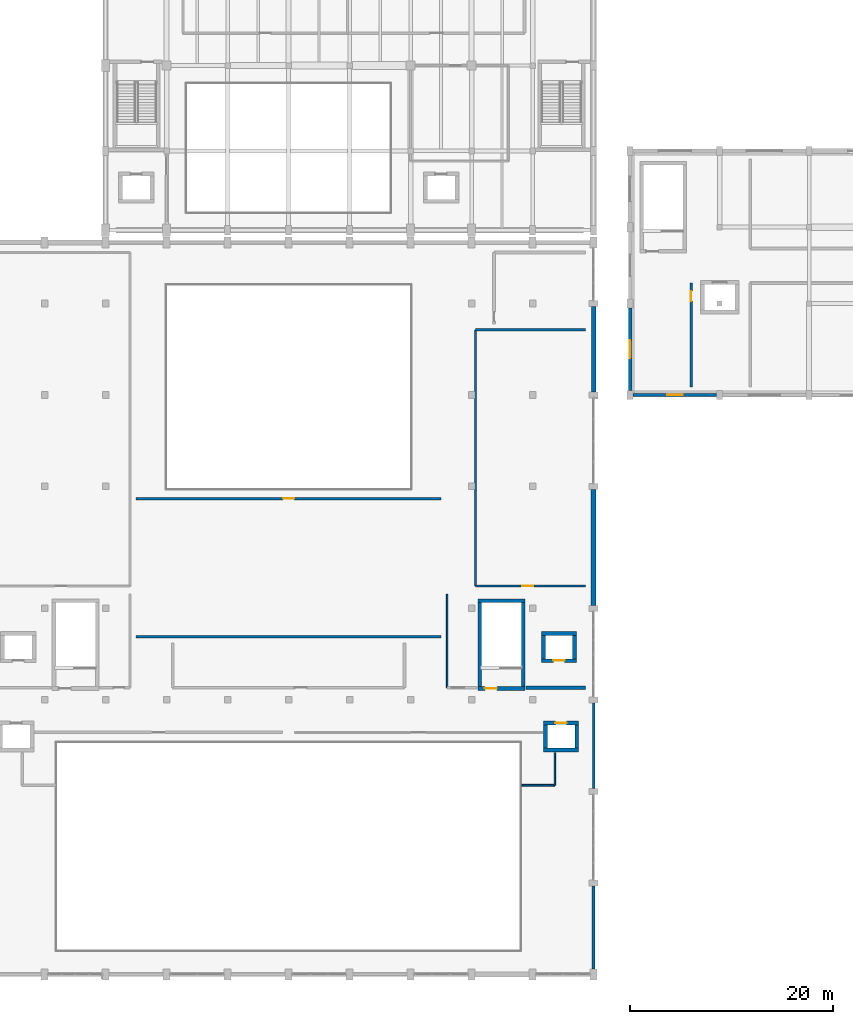
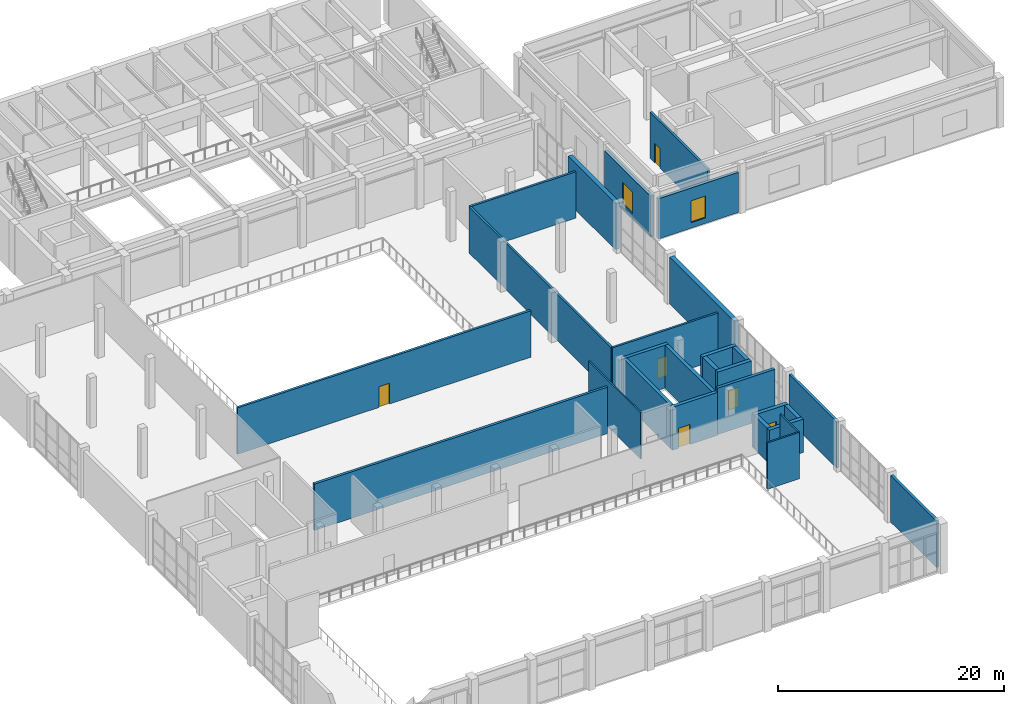
# One storey, part 28 of 41: 28 walls, 6 doors, 2 windows, 8 openings.
"""IFC4 building model written with IfcOpenShell, lengths in metres."""

from ifc_helpers import new_model, si_unit, direction, frame, frame_2d, origin, place, context, subcontext, project, spatial, rectangle, extrude, material, layer, layer_set, type_object, element, fill, save


model = new_model("IFC4")

# Units and contexts
model_context = context("Model", 3, precision=1e-05, world=origin(), true_north=direction((0.0, 1.0)))
body_context = subcontext(model_context, "Body", "Model", "MODEL_VIEW")
ifc_project = project(units=[si_unit("LENGTHUNIT", "METRE"), si_unit("AREAUNIT", "SQUARE_METRE"), si_unit("VOLUMEUNIT", "CUBIC_METRE"), si_unit("PLANEANGLEUNIT", "RADIAN"), si_unit("MASSUNIT", "GRAM", prefix="KILO")], contexts=[model_context])

# Site, building, storey
site_placement = place(None, origin())
site = spatial("IfcSite", under=ifc_project, at=site_placement, CompositionType="ELEMENT")
building_placement = place(site_placement, origin())
building = spatial("IfcBuilding", under=site, at=building_placement, Name="Vaelkrest Opera House", CompositionType="ELEMENT")
storey_placement = place(building_placement, frame((0.0, 0.0, 24.60009765625)))
storey = spatial("IfcBuildingStorey", under=building, at=storey_placement, Name="L05", CompositionType="ELEMENT", Elevation=24.60009765625)

# Walls
ifc_material_1 = material(Name="Douglas fir glulam GL28h", Category="wood")
ifc_layer_1 = layer(ifc_material_1, 0.2548828125)
ifc_layer_set_1 = layer_set([ifc_layer_1], Name="Douglas fir glulam GL28h")
wall_type_1 = type_object("IfcWallType", Name="EW01", PredefinedType="STANDARD", material=ifc_layer_set_1)
wall_1_placement = place(storey_placement, frame((30.0, -29.097900390625, 0.0), z_axis=(0.0, 0.0, 1.0), x_axis=(0.0, -1.0, 0.0)))
element("IfcWall", 1, at=wall_1_placement, inside=storey, type_object=wall_type_1, Name="Exterior facade wall EW-V1-L05-0141", PredefinedType="STANDARD", context=body_context, shape_type="SweptSolid", body=[
    extrude(rectangle(XDim=8.404052734375, YDim=0.2548828125, at=frame_2d((4.2021484375, 0.0))), origin(), (0.0, 0.0, 1.0), 5.0498046875),
])
ifc_layer_2 = layer(ifc_material_1, 0.27490234375)
ifc_layer_set_2 = layer_set([ifc_layer_2], Name="Douglas fir glulam GL28h")
wall_type_2 = type_object("IfcWallType", Name="EW02", PredefinedType="STANDARD", material=ifc_layer_set_2)
wall_2_placement = place(storey_placement, frame((30.0, -47.097900390625, 0.0), z_axis=(0.0, 0.0, 1.0), x_axis=(0.0, -1.0, 0.0)))
element("IfcWall", 2, at=wall_2_placement, inside=storey, type_object=wall_type_2, Name="Exterior facade wall EW-V1-L05-0142", PredefinedType="STANDARD", context=body_context, shape_type="SweptSolid", body=[
    extrude(rectangle(XDim=8.154052734375, YDim=0.27490234375, at=frame_2d((4.0771484375, 0.0))), origin(), (0.0, 0.0, 1.0), 5.0498046875),
])

# Wall, opening, window
ifc_material_2 = material(Name="American black walnut acoustic timber", Category="wood")
ifc_layer_3 = layer(ifc_material_2, 0.31494140625)
ifc_layer_set_3 = layer_set([ifc_layer_3], Name="American black walnut acoustic timber")
wall_type_3 = type_object("IfcWallType", Name="EW04", PredefinedType="STANDARD", material=ifc_layer_set_3)
wall_3_placement = place(storey_placement, frame((42.10205078125, 1.199951171875, 0.0), z_axis=(0.0, 0.0, 1.0), x_axis=(-1.0, 0.0, 0.0)))
wall_3 = element("IfcWall", 3, at=wall_3_placement, inside=storey, type_object=wall_type_3, Name="Exterior facade wall EW-V4-L05-0294", PredefinedType="STANDARD", context=body_context, shape_type="SweptSolid", body=[
    extrude(rectangle(XDim=8.2041015625, YDim=0.31494140625, at=frame_2d((4.10205078125, 0.0))), origin(), (0.0, 0.0, 1.0), 4.344970703125),
])
opening_1_placement = place(wall_3_placement, frame((3.35205078125, 0.0, 0.60009765625)))
opening_1 = element("IfcOpeningElement", 4, at=opening_1_placement, cuts=wall_3, Name="Opening WN177", PredefinedType="OPENING", context=body_context, shape_type="SweptSolid", body=[
    extrude(rectangle(XDim=1.5, YDim=2.35009765625, at=frame_2d((0.75, 1.175048828125))), frame((0.0, 0.16748046875, 0.0), z_axis=(0.0, -1.0, 0.0), x_axis=(1.0, 0.0, 0.0)), (0.0, 0.0, 1.0), 0.3349609375),
])
ifc_material_3 = material(Name="Double low-E insulated glazing", Category="glass")
window_type_1 = type_object("IfcWindowType", Name="WT21", PartitioningType="SINGLE_PANEL", PredefinedType="WINDOW", material=ifc_material_3)
window_1_placement = place(opening_1_placement, origin())
window_1 = element("IfcWindow", 5, at=window_1_placement, inside=storey, type_object=window_type_1, Name="Facade window WN177", OverallHeight=2.35009765625, OverallWidth=1.5, PartitioningType="SINGLE_PANEL", PredefinedType="WINDOW", context=body_context, shape_type="SweptSolid", body=[
    extrude(rectangle(XDim=1.5, YDim=2.35009765625, at=frame_2d((0.75, 1.175048828125))), frame((0.0, 0.030029296875, 0.0), z_axis=(0.0, -1.0, 0.0), x_axis=(1.0, 0.0, 0.0)), (0.0, 0.0, 1.0), 0.06005859375),
])
fill(opening_1, window_1)

ifc_layer_4 = layer(ifc_material_2, 0.3349609375)
ifc_layer_set_4 = layer_set([ifc_layer_4], Name="American black walnut acoustic timber")
wall_type_4 = type_object("IfcWallType", Name="EW05", PredefinedType="STANDARD", material=ifc_layer_set_4)
wall_4_placement = place(storey_placement, frame((33.60009765625, 1.64794921875, 0.0), z_axis=(0.0, 0.0, 1.0), x_axis=(0.0, 1.0, 0.0)))
wall_4 = element("IfcWall", 6, at=wall_4_placement, inside=storey, type_object=wall_type_4, Name="Exterior facade wall EW-V4-L05-0295", PredefinedType="STANDARD", context=body_context, shape_type="SweptSolid", body=[
    extrude(rectangle(XDim=8.10400390625, YDim=0.3349609375, at=frame_2d((4.052001953125, 0.0))), origin(), (0.0, 0.0, 1.0), 4.428955078125),
])
opening_2_placement = place(wall_4_placement, frame((3.152099609375, 0.0, 0.60009765625)))
opening_2 = element("IfcOpeningElement", 7, at=opening_2_placement, cuts=wall_4, Name="Opening WN178", PredefinedType="OPENING", context=body_context, shape_type="SweptSolid", body=[
    extrude(rectangle(XDim=1.800048828125, YDim=2.35009765625, at=frame_2d((0.89990234375, 1.175048828125))), frame((0.0, 0.177490234375, 0.0), z_axis=(0.0, -1.0, 0.0), x_axis=(1.0, 0.0, 0.0)), (0.0, 0.0, 1.0), 0.35498046875),
])
window_type_2 = type_object("IfcWindowType", Name="WT22", PartitioningType="SINGLE_PANEL", PredefinedType="WINDOW", material=ifc_material_3)
window_2_placement = place(opening_2_placement, origin())
window_2 = element("IfcWindow", 8, at=window_2_placement, inside=storey, type_object=window_type_2, Name="Facade window WN178", OverallHeight=2.35009765625, OverallWidth=1.800048828125, PartitioningType="SINGLE_PANEL", PredefinedType="WINDOW", context=body_context, shape_type="SweptSolid", body=[
    extrude(rectangle(XDim=1.800048828125, YDim=2.35009765625, at=frame_2d((0.89990234375, 1.175048828125))), frame((0.0, 0.030029296875, 0.0), z_axis=(0.0, -1.0, 0.0), x_axis=(1.0, 0.0, 0.0)), (0.0, 0.0, 1.0), 0.06005859375),
])
fill(opening_2, window_2)

# Walls
ifc_material_4 = material(Name="Concrete C40/50", Category="concrete")
ifc_layer_5 = layer(ifc_material_4, 0.43505859375)
ifc_layer_set_5 = layer_set([ifc_layer_5], Name="Concrete C40/50")
wall_type_5 = type_object("IfcWallType", Name="EW09", PredefinedType="STANDARD", material=ifc_layer_set_5)
wall_5_placement = place(storey_placement, frame((30.0, 9.902099609375, 0.0), z_axis=(0.0, 0.0, 1.0), x_axis=(0.0, -1.0, 0.0)))
element("IfcWall", 9, at=wall_5_placement, inside=storey, type_object=wall_type_5, Name="Exterior facade wall EW-V1-L05-0139", PredefinedType="STANDARD", context=body_context, shape_type="SweptSolid", body=[
    extrude(rectangle(XDim=8.404052734375, YDim=0.43505859375, at=frame_2d((4.2021484375, 0.0))), origin(), (0.0, 0.0, 1.0), 5.0498046875),
])
ifc_layer_6 = layer(ifc_material_4, 0.465087890625)
ifc_layer_set_6 = layer_set([ifc_layer_6], Name="Concrete C40/50")
wall_type_6 = type_object("IfcWallType", Name="EW10", PredefinedType="STANDARD", material=ifc_layer_set_6)
wall_6_placement = place(storey_placement, frame((30.0, -8.097900390625, 0.0), z_axis=(0.0, 0.0, 1.0), x_axis=(0.0, -1.0, 0.0)))
element("IfcWall", 10, at=wall_6_placement, inside=storey, type_object=wall_type_6, Name="Exterior facade wall EW-V1-L05-0140", PredefinedType="STANDARD", context=body_context, shape_type="SweptSolid", body=[
    extrude(rectangle(XDim=11.404052734375, YDim=0.465087890625, at=frame_2d((5.7021484375, 0.0))), origin(), (0.0, 0.0, 1.0), 5.0498046875),
])
ifc_material_5 = material(Name="Gypsum acoustic board", Category="gypsum")
ifc_layer_7 = layer(ifc_material_5, 0.135009765625)
ifc_layer_set_7 = layer_set([ifc_layer_7], Name="Gypsum acoustic board")
wall_type_7 = type_object("IfcWallType", Name="PT02", PredefinedType="PARTITIONING", material=ifc_layer_set_7)
wall_7_placement = place(storey_placement, frame((26.199951171875, -37.199951171875, 0.0), z_axis=(0.0, 0.0, 1.0), x_axis=(0.0, 1.0, 0.0)))
element("IfcWall", 11, at=wall_7_placement, inside=storey, type_object=wall_type_7, Name="Interior partition PT-V1-L05-0142", PredefinedType="PARTITIONING", context=body_context, shape_type="SweptSolid", body=[
    extrude(rectangle(XDim=3.199951171875, YDim=0.135009765625, at=frame_2d((1.60009765625, 0.0))), origin(), (0.0, 0.0, 1.0), 5.02001953125),
])

# Wall, opening, door
ifc_layer_8 = layer(ifc_material_2, 0.2099609375)
ifc_layer_set_8 = layer_set([ifc_layer_8], Name="American black walnut acoustic timber")
wall_type_8 = type_object("IfcWallType", Name="PT07", PredefinedType="PARTITIONING", material=ifc_layer_set_8)
wall_8_placement = place(storey_placement, frame((18.39990234375, -17.60009765625, 0.0), z_axis=(0.0, 0.0, 1.0), x_axis=(1.0, 0.0, 0.0)))
wall_8 = element("IfcWall", 12, at=wall_8_placement, inside=storey, type_object=wall_type_8, Name="Interior partition PT-V1-L05-0131", PredefinedType="PARTITIONING", context=body_context, shape_type="SweptSolid", body=[
    extrude(rectangle(XDim=10.800048828125, YDim=0.2099609375, at=frame_2d((5.39990234375, 0.0))), origin(), (0.0, 0.0, 1.0), 5.02001953125),
])
opening_3_placement = place(wall_8_placement, frame((4.597900390625, 0.0, 0.0)))
opening_3 = element("IfcOpeningElement", 13, at=opening_3_placement, cuts=wall_8, Name="Opening D050", PredefinedType="OPENING", context=body_context, shape_type="SweptSolid", body=[
    extrude(rectangle(XDim=1.06005859375, YDim=2.14990234375, at=frame_2d((0.530029296875, 1.074951171875))), frame((0.0, 0.114990234375, 0.0), z_axis=(0.0, -1.0, 0.0), x_axis=(1.0, 0.0, 0.0)), (0.0, 0.0, 1.0), 0.22998046875),
])
door_type_1 = type_object("IfcDoorType", Name="DT05", OperationType="NOTDEFINED", PredefinedType="DOOR", material=ifc_material_2)
door_1_placement = place(opening_3_placement, origin())
door_1 = element("IfcDoor", 14, at=door_1_placement, inside=storey, type_object=door_type_1, Name="Interior door D050 (Broadcast Suite)", OperationType="SINGLE_SWING_RIGHT", OverallHeight=2.14990234375, OverallWidth=1.06005859375, PredefinedType="DOOR", context=body_context, shape_type="SweptSolid", body=[
    extrude(rectangle(XDim=1.06005859375, YDim=2.14990234375, at=frame_2d((0.530029296875, 1.074951171875))), frame((0.0, 0.02490234375, 0.0), z_axis=(0.0, -1.0, 0.0), x_axis=(1.0, 0.0, 0.0)), (0.0, 0.0, 1.0), 0.050048828125),
])
fill(opening_3, door_1)

# Walls
wall_9_placement = place(storey_placement, frame((18.39990234375, -17.60009765625, 0.0), z_axis=(0.0, 0.0, 1.0), x_axis=(0.0, 1.0, 0.0)))
element("IfcWall", 15, at=wall_9_placement, inside=storey, type_object=wall_type_8, Name="Interior partition PT-V1-L05-0133", PredefinedType="PARTITIONING", context=body_context, shape_type="SweptSolid", body=[
    extrude(rectangle(XDim=25.2001953125, YDim=0.2099609375, at=frame_2d((12.60009765625, 0.0))), origin(), (0.0, 0.0, 1.0), 5.02001953125),
])
ifc_layer_9 = layer(ifc_material_2, 0.22509765625)
ifc_layer_set_9 = layer_set([ifc_layer_9], Name="American black walnut acoustic timber")
wall_type_9 = type_object("IfcWallType", Name="PT08", PredefinedType="PARTITIONING", material=ifc_layer_set_9)
wall_10_placement = place(storey_placement, frame((18.39990234375, 7.60009765625, 0.0), z_axis=(0.0, 0.0, 1.0), x_axis=(1.0, 0.0, 0.0)))
element("IfcWall", 16, at=wall_10_placement, inside=storey, type_object=wall_type_9, Name="Interior partition PT-V1-L05-0132", PredefinedType="PARTITIONING", context=body_context, shape_type="SweptSolid", body=[
    extrude(rectangle(XDim=10.800048828125, YDim=0.22509765625, at=frame_2d((5.39990234375, 0.0))), origin(), (0.0, 0.0, 1.0), 5.02001953125),
])

# Wall, opening, door
wall_11_placement = place(storey_placement, frame((39.60009765625, 2.0, 0.0), z_axis=(0.0, 0.0, 1.0), x_axis=(0.0, 1.0, 0.0)))
wall_11 = element("IfcWall", 17, at=wall_11_placement, inside=storey, type_object=wall_type_9, Name="Interior partition PT-V4-L05-0404", PredefinedType="PARTITIONING", context=body_context, shape_type="SweptSolid", body=[
    extrude(rectangle(XDim=10.199951171875, YDim=0.22509765625, at=frame_2d((5.10009765625, 0.0))), origin(), (0.0, 0.0, 1.0), 5.02001953125),
])
opening_4_placement = place(wall_11_placement, frame((8.425048828125, 0.0, 0.0)))
opening_4 = element("IfcOpeningElement", 18, at=opening_4_placement, cuts=wall_11, Name="Opening D168", PredefinedType="OPENING", context=body_context, shape_type="SweptSolid", body=[
    extrude(rectangle(XDim=0.97998046875, YDim=2.14990234375, at=frame_2d((0.489990234375, 1.074951171875))), frame((0.0, 0.12255859375, 0.0), z_axis=(0.0, -1.0, 0.0), x_axis=(1.0, 0.0, 0.0)), (0.0, 0.0, 1.0), 0.2451171875),
])
door_type_2 = type_object("IfcDoorType", Name="DT03", OperationType="NOTDEFINED", PredefinedType="DOOR", material=ifc_material_2)
door_2_placement = place(opening_4_placement, origin())
door_2 = element("IfcDoor", 19, at=door_2_placement, inside=storey, type_object=door_type_2, Name="Interior door D168 (Broadcast Suite)", OperationType="SINGLE_SWING_RIGHT", OverallHeight=2.14990234375, OverallWidth=0.97998046875, PredefinedType="DOOR", context=body_context, shape_type="SweptSolid", body=[
    extrude(rectangle(XDim=0.97998046875, YDim=2.14990234375, at=frame_2d((0.489990234375, 1.074951171875))), frame((0.0, 0.02490234375, 0.0), z_axis=(0.0, -1.0, 0.0), x_axis=(1.0, 0.0, 0.0)), (0.0, 0.0, 1.0), 0.050048828125),
])
fill(opening_4, door_2)

ifc_layer_10 = layer(ifc_material_4, 0.239990234375)
ifc_layer_set_10 = layer_set([ifc_layer_10], Name="Concrete C40/50")
wall_type_10 = type_object("IfcWallType", Name="PT09", PredefinedType="PARTITIONING", material=ifc_layer_set_10)
wall_12_placement = place(storey_placement, frame((-15.0, -9.0, 0.0), z_axis=(0.0, 0.0, 1.0), x_axis=(1.0, 0.0, 0.0)))
wall_12 = element("IfcWall", 20, at=wall_12_placement, inside=storey, type_object=wall_type_10, Name="Interior partition PT-V1-L05-0147", PredefinedType="PARTITIONING", context=body_context, shape_type="SweptSolid", body=[
    extrude(rectangle(XDim=30.0, YDim=0.239990234375, at=frame_2d((15.0, 0.0))), origin(), (0.0, 0.0, 1.0), 5.02001953125),
])
opening_5_placement = place(wall_12_placement, frame((14.4599609375, 0.0, 0.0)))
opening_5 = element("IfcOpeningElement", 21, at=opening_5_placement, cuts=wall_12, Name="Opening D055", PredefinedType="OPENING", context=body_context, shape_type="SweptSolid", body=[
    extrude(rectangle(XDim=1.080078125, YDim=2.25, at=frame_2d((0.5400390625, 1.125))), frame((0.0, 0.1298828125, 0.0), z_axis=(0.0, -1.0, 0.0), x_axis=(1.0, 0.0, 0.0)), (0.0, 0.0, 1.0), 0.260009765625),
])
door_type_3 = type_object("IfcDoorType", Name="DT11", OperationType="NOTDEFINED", PredefinedType="DOOR", material=ifc_material_2)
door_3_placement = place(opening_5_placement, origin())
door_3 = element("IfcDoor", 22, at=door_3_placement, inside=storey, type_object=door_type_3, Name="Interior door D055 (HVAC Plant Room)", OperationType="SINGLE_SWING_LEFT", OverallHeight=2.25, OverallWidth=1.080078125, PredefinedType="DOOR", context=body_context, shape_type="SweptSolid", body=[
    extrude(rectangle(XDim=1.080078125, YDim=2.25, at=frame_2d((0.5400390625, 1.125))), frame((0.0, 0.02490234375, 0.0), z_axis=(0.0, -1.0, 0.0), x_axis=(1.0, 0.0, 0.0)), (0.0, 0.0, 1.0), 0.050048828125),
])
fill(opening_5, door_3)

# Walls
ifc_layer_11 = layer(ifc_material_4, 0.260009765625)
ifc_layer_set_11 = layer_set([ifc_layer_11], Name="Concrete C40/50")
wall_type_11 = type_object("IfcWallType", Name="PT10", PredefinedType="PARTITIONING", material=ifc_layer_set_11)
wall_13_placement = place(storey_placement, frame((-15.0, -22.60009765625, 0.0), z_axis=(0.0, 0.0, 1.0), x_axis=(1.0, 0.0, 0.0)))
element("IfcWall", 23, at=wall_13_placement, inside=storey, type_object=wall_type_11, Name="Interior partition PT-V1-L05-0146", PredefinedType="PARTITIONING", context=body_context, shape_type="SweptSolid", body=[
    extrude(rectangle(XDim=30.0, YDim=0.260009765625, at=frame_2d((15.0, 0.0))), origin(), (0.0, 0.0, 1.0), 5.02001953125),
])
ifc_layer_12 = layer(ifc_material_4, 0.304931640625)
ifc_layer_set_12 = layer_set([ifc_layer_12], Name="Concrete C40/50")
wall_type_12 = type_object("IfcWallType", Name="PT12", PredefinedType="PARTITIONING", material=ifc_layer_set_12)
wall_14_placement = place(storey_placement, frame((23.35009765625, -27.60009765625, 0.0), z_axis=(0.0, 0.0, 1.0), x_axis=(1.0, 0.0, 0.0)))
element("IfcWall", 24, at=wall_14_placement, inside=storey, type_object=wall_type_12, Name="Interior partition PT-V1-L05-0138", PredefinedType="PARTITIONING", context=body_context, shape_type="SweptSolid", body=[
    extrude(rectangle(XDim=5.849853515625, YDim=0.304931640625, at=frame_2d((2.9248046875, 0.0))), origin(), (0.0, 0.0, 1.0), 5.02001953125),
])
ifc_layer_13 = layer(ifc_material_5, 0.14501953125)
ifc_layer_set_13 = layer_set([ifc_layer_13], Name="Gypsum acoustic board")
wall_type_13 = type_object("IfcWallType", Name="PT13", PredefinedType="PARTITIONING", material=ifc_layer_set_13)
wall_15_placement = place(storey_placement, frame((15.60009765625, -27.60009765625, 0.0), z_axis=(0.0, 0.0, 1.0), x_axis=(0.0, 1.0, 0.0)))
element("IfcWall", 25, at=wall_15_placement, inside=storey, type_object=wall_type_13, Name="Interior partition PT-V1-L05-0139", PredefinedType="PARTITIONING", context=body_context, shape_type="SweptSolid", body=[
    extrude(rectangle(XDim=9.2001953125, YDim=0.14501953125, at=frame_2d((4.60009765625, 0.0))), origin(), (0.0, 0.0, 1.0), 5.02001953125),
])
ifc_layer_14 = layer(ifc_material_2, 0.175048828125)
ifc_layer_set_14 = layer_set([ifc_layer_14], Name="American black walnut acoustic timber")
wall_type_14 = type_object("IfcWallType", Name="PT14", PredefinedType="PARTITIONING", material=ifc_layer_set_14)
wall_16_placement = place(storey_placement, frame((22.949951171875, -37.199951171875, 0.0), z_axis=(0.0, 0.0, 1.0), x_axis=(1.0, 0.0, 0.0)))
element("IfcWall", 26, at=wall_16_placement, inside=storey, type_object=wall_type_14, Name="Interior partition PT-V1-L05-0140", PredefinedType="PARTITIONING", context=body_context, shape_type="SweptSolid", body=[
    extrude(rectangle(XDim=3.25, YDim=0.175048828125, at=frame_2d((1.625, 0.0))), origin(), (0.0, 0.0, 1.0), 5.02001953125),
])

# Wall, opening, door
ifc_material_6 = material(Name="Concrete C50/60", Category="concrete")
ifc_layer_15 = layer(ifc_material_6, 0.35009765625)
ifc_layer_set_15 = layer_set([ifc_layer_15], Name="Concrete C50/60")
wall_type_15 = type_object("IfcWallType", Name="SW01", PredefinedType="SHEAR", material=ifc_layer_set_15)
wall_17_placement = place(storey_placement, frame((23.25, -27.675048828125, 0.0), z_axis=(0.0, 0.0, 1.0), x_axis=(-1.0, 0.0, 0.0)))
wall_17 = element("IfcWall", 27, at=wall_17_placement, inside=storey, type_object=wall_type_15, Name="Stair core ST02 wall L05 S", PredefinedType="SHEAR", context=body_context, shape_type="SweptSolid", body=[
    extrude(rectangle(XDim=4.60009765625, YDim=0.35009765625, at=frame_2d((2.300048828125, 0.0))), origin(), (0.0, 0.0, 1.0), 4.64501953125),
])
opening_6_placement = place(wall_17_placement, frame((2.77001953125, 0.0, 0.0)))
opening_6 = element("IfcOpeningElement", 28, at=opening_6_placement, cuts=wall_17, Name="Opening SD-ST02-L05", PredefinedType="OPENING", context=body_context, shape_type="SweptSolid", body=[
    extrude(rectangle(XDim=1.179931640625, YDim=2.14990234375, at=frame_2d((0.58984375, 1.074951171875))), frame((0.0, 0.18505859375, 0.0), z_axis=(0.0, -1.0, 0.0), x_axis=(1.0, 0.0, 0.0)), (0.0, 0.0, 1.0), 0.3701171875),
])
door_type_4 = type_object("IfcDoorType", Name="DT07", OperationType="NOTDEFINED", PredefinedType="DOOR", material=ifc_material_2)
door_4_placement = place(opening_6_placement, origin())
door_4 = element("IfcDoor", 29, at=door_4_placement, inside=storey, type_object=door_type_4, Name="Protected stair door SD-ST02-L05", OperationType="SINGLE_SWING_LEFT", OverallHeight=2.14990234375, OverallWidth=1.179931640625, PredefinedType="DOOR", context=body_context, shape_type="SweptSolid", body=[
    extrude(rectangle(XDim=1.179931640625, YDim=2.14990234375, at=frame_2d((0.58984375, 1.074951171875))), frame((0.0, 0.02490234375, 0.0), z_axis=(0.0, -1.0, 0.0), x_axis=(1.0, 0.0, 0.0)), (0.0, 0.0, 1.0), 0.050048828125),
])
fill(opening_6, door_4)

# Walls
wall_18_placement = place(storey_placement, frame((18.824951171875, -27.5, 0.0), z_axis=(0.0, 0.0, 1.0), x_axis=(0.0, 1.0, 0.0)))
element("IfcWall", 30, at=wall_18_placement, inside=storey, type_object=wall_type_15, Name="Stair core ST02 wall L05 W", PredefinedType="SHEAR", context=body_context, shape_type="SweptSolid", body=[
    extrude(rectangle(XDim=8.300048828125, YDim=0.35009765625, at=frame_2d((4.14990234375, 0.0))), origin(), (0.0, 0.0, 1.0), 4.64501953125),
])
wall_19_placement = place(storey_placement, frame((18.64990234375, -19.02490234375, 0.0), z_axis=(0.0, 0.0, 1.0), x_axis=(1.0, 0.0, 0.0)))
element("IfcWall", 31, at=wall_19_placement, inside=storey, type_object=wall_type_15, Name="Stair core ST02 wall L05 N", PredefinedType="SHEAR", context=body_context, shape_type="SweptSolid", body=[
    extrude(rectangle(XDim=4.60009765625, YDim=0.35009765625, at=frame_2d((2.300048828125, 0.0))), origin(), (0.0, 0.0, 1.0), 4.64501953125),
])
wall_20_placement = place(storey_placement, frame((23.074951171875, -19.199951171875, 0.0), z_axis=(0.0, 0.0, 1.0), x_axis=(0.0, -1.0, 0.0)))
element("IfcWall", 32, at=wall_20_placement, inside=storey, type_object=wall_type_15, Name="Stair core ST02 wall L05 E", PredefinedType="SHEAR", context=body_context, shape_type="SweptSolid", body=[
    extrude(rectangle(XDim=8.300048828125, YDim=0.35009765625, at=frame_2d((4.14990234375, 0.0))), origin(), (0.0, 0.0, 1.0), 4.64501953125),
])

# Wall, opening, door
ifc_layer_16 = layer(ifc_material_6, 0.389892578125)
ifc_layer_set_16 = layer_set([ifc_layer_16], Name="Concrete C50/60")
wall_type_16 = type_object("IfcWallType", Name="SW02", PredefinedType="SHEAR", material=ifc_layer_set_16)
wall_21_placement = place(storey_placement, frame((28.340087890625, -24.945068359375, 0.0), z_axis=(0.0, 0.0, 1.0), x_axis=(-1.0, 0.0, 0.0)))
wall_21 = element("IfcWall", 33, at=wall_21_placement, inside=storey, type_object=wall_type_16, Name="Lift shaft LP02 wall L05 S", PredefinedType="SHEAR", context=body_context, shape_type="SweptSolid", body=[
    extrude(rectangle(XDim=3.47998046875, YDim=0.389892578125, at=frame_2d((1.739990234375, 0.0))), origin(), (0.0, 0.0, 1.0), 4.64501953125),
])
opening_7_placement = place(wall_21_placement, frame((1.18994140625, 0.0, 0.0)))
opening_7 = element("IfcOpeningElement", 34, at=opening_7_placement, cuts=wall_21, Name="Opening LD-LP02-L05", PredefinedType="OPENING", context=body_context, shape_type="SweptSolid", body=[
    extrude(rectangle(XDim=1.10009765625, YDim=2.14990234375, at=frame_2d((0.550048828125, 1.074951171875))), frame((0.0, 0.204833984375, 0.0), z_axis=(0.0, -1.0, 0.0), x_axis=(1.0, 0.0, 0.0)), (0.0, 0.0, 1.0), 0.409912109375),
])
ifc_material_7 = material(Name="Dark bronze anodized aluminium", Category="aluminium")
door_type_5 = type_object("IfcDoorType", Name="LDT01", OperationType="SLIDING_TO_LEFT", PredefinedType="DOOR", material=ifc_material_7)
door_5_placement = place(opening_7_placement, origin())
door_5 = element("IfcDoor", 35, at=door_5_placement, inside=storey, type_object=door_type_5, Name="Lift landing sliding door LD-LP02-L05", OperationType="SLIDING_TO_LEFT", OverallHeight=2.14990234375, OverallWidth=1.10009765625, PredefinedType="DOOR", context=body_context, shape_type="SweptSolid", body=[
    extrude(rectangle(XDim=1.10009765625, YDim=2.14990234375, at=frame_2d((0.550048828125, 1.074951171875))), frame((0.0, 0.02490234375, 0.0), z_axis=(0.0, -1.0, 0.0), x_axis=(1.0, 0.0, 0.0)), (0.0, 0.0, 1.0), 0.050048828125),
])
fill(opening_7, door_5)

# Walls
wall_22_placement = place(storey_placement, frame((24.860107421875, -22.2548828125, 0.0), z_axis=(0.0, 0.0, 1.0), x_axis=(1.0, 0.0, 0.0)))
element("IfcWall", 36, at=wall_22_placement, inside=storey, type_object=wall_type_16, Name="Lift shaft LP02 wall L05 N", PredefinedType="SHEAR", context=body_context, shape_type="SweptSolid", body=[
    extrude(rectangle(XDim=3.47998046875, YDim=0.389892578125, at=frame_2d((1.739990234375, 0.0))), origin(), (0.0, 0.0, 1.0), 4.64501953125),
])
for number, where, z_axis, x_axis, name in (
    (37, (25.054931640625, -24.75, 0.0), (0.0, 0.0, 1.0), (0.0, 1.0, 0.0), "Lift shaft LP02 wall L05 W"),
    (38, (28.14501953125, -22.449951171875, 0.0), (0.0, 0.0, 1.0), (0.0, -1.0, 0.0), "Lift shaft LP02 wall L05 E"),
):
    element("IfcWall", number, at=place(storey_placement, frame(where, z_axis=z_axis, x_axis=x_axis)), inside=storey, type_object=wall_type_16, Name=name, PredefinedType="SHEAR", context=body_context, shape_type="SweptSolid", body=[
        extrude(rectangle(XDim=2.300048828125, YDim=0.389892578125, at=frame_2d((1.14990234375, 0.0))), origin(), (0.0, 0.0, 1.0), 4.64501953125),
    ])
wall_23_placement = place(storey_placement, frame((28.5400390625, -33.7451171875, 0.0), z_axis=(0.0, 0.0, 1.0), x_axis=(-1.0, 0.0, 0.0)))
element("IfcWall", 39, at=wall_23_placement, inside=storey, type_object=wall_type_16, Name="Lift shaft LP04 wall L05 S", PredefinedType="SHEAR", context=body_context, shape_type="SweptSolid", body=[
    extrude(rectangle(XDim=3.47998046875, YDim=0.389892578125, at=frame_2d((1.739990234375, 0.0))), origin(), (0.0, 0.0, 1.0), 3.618896484375),
])

# Wall, opening, door
wall_24_placement = place(storey_placement, frame((25.06005859375, -31.054931640625, 0.0), z_axis=(0.0, 0.0, 1.0), x_axis=(1.0, 0.0, 0.0)))
wall_24 = element("IfcWall", 40, at=wall_24_placement, inside=storey, type_object=wall_type_16, Name="Lift shaft LP04 wall L05 N", PredefinedType="SHEAR", context=body_context, shape_type="SweptSolid", body=[
    extrude(rectangle(XDim=3.47998046875, YDim=0.389892578125, at=frame_2d((1.739990234375, 0.0))), origin(), (0.0, 0.0, 1.0), 3.618896484375),
])
opening_8_placement = place(wall_24_placement, frame((1.18994140625, 0.0, 0.0)))
opening_8 = element("IfcOpeningElement", 41, at=opening_8_placement, cuts=wall_24, Name="Opening LD-LP04-L05", PredefinedType="OPENING", context=body_context, shape_type="SweptSolid", body=[
    extrude(rectangle(XDim=1.10009765625, YDim=2.14990234375, at=frame_2d((0.550048828125, 1.074951171875))), frame((0.0, 0.204833984375, 0.0), z_axis=(0.0, -1.0, 0.0), x_axis=(1.0, 0.0, 0.0)), (0.0, 0.0, 1.0), 0.409912109375),
])
door_6_placement = place(opening_8_placement, origin())
door_6 = element("IfcDoor", 42, at=door_6_placement, inside=storey, type_object=door_type_5, Name="Lift landing sliding door LD-LP04-L05", OperationType="SLIDING_TO_LEFT", OverallHeight=2.14990234375, OverallWidth=1.10009765625, PredefinedType="DOOR", context=body_context, shape_type="SweptSolid", body=[
    extrude(rectangle(XDim=1.10009765625, YDim=2.14990234375, at=frame_2d((0.550048828125, 1.074951171875))), frame((0.0, 0.02490234375, 0.0), z_axis=(0.0, -1.0, 0.0), x_axis=(1.0, 0.0, 0.0)), (0.0, 0.0, 1.0), 0.050048828125),
])
fill(opening_8, door_6)

# Walls
for number, where, z_axis, x_axis, name in (
    (43, (25.2548828125, -33.550048828125, 0.0), (0.0, 0.0, 1.0), (0.0, 1.0, 0.0), "Lift shaft LP04 wall L05 W"),
    (44, (28.344970703125, -31.25, 0.0), (0.0, 0.0, 1.0), (0.0, -1.0, 0.0), "Lift shaft LP04 wall L05 E"),
):
    element("IfcWall", number, at=place(storey_placement, frame(where, z_axis=z_axis, x_axis=x_axis)), inside=storey, type_object=wall_type_16, Name=name, PredefinedType="SHEAR", context=body_context, shape_type="SweptSolid", body=[
        extrude(rectangle(XDim=2.300048828125, YDim=0.389892578125, at=frame_2d((1.14990234375, 0.0))), origin(), (0.0, 0.0, 1.0), 3.618896484375),
    ])

save(model, "model.ifc")
